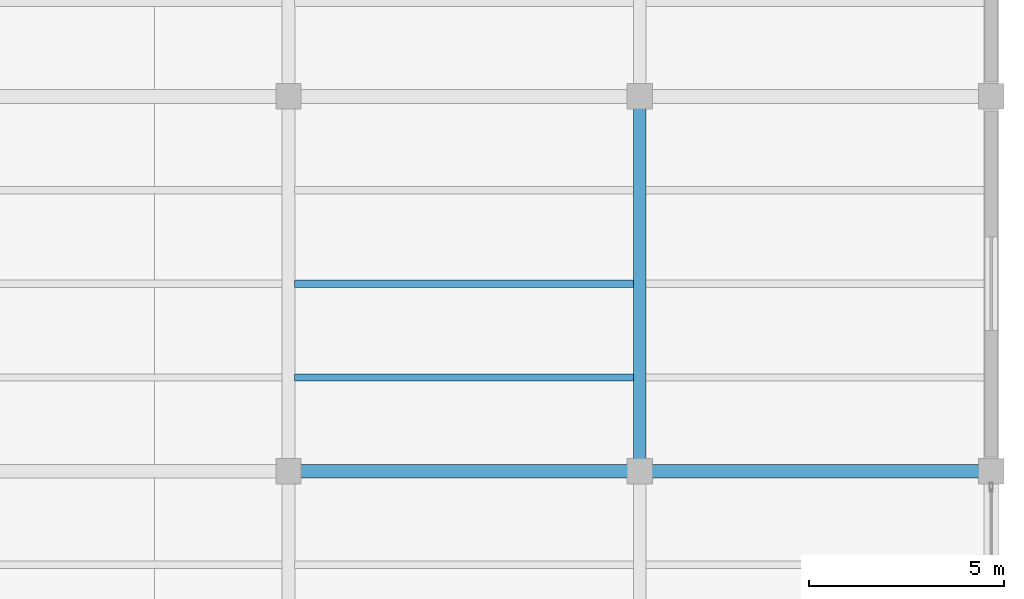
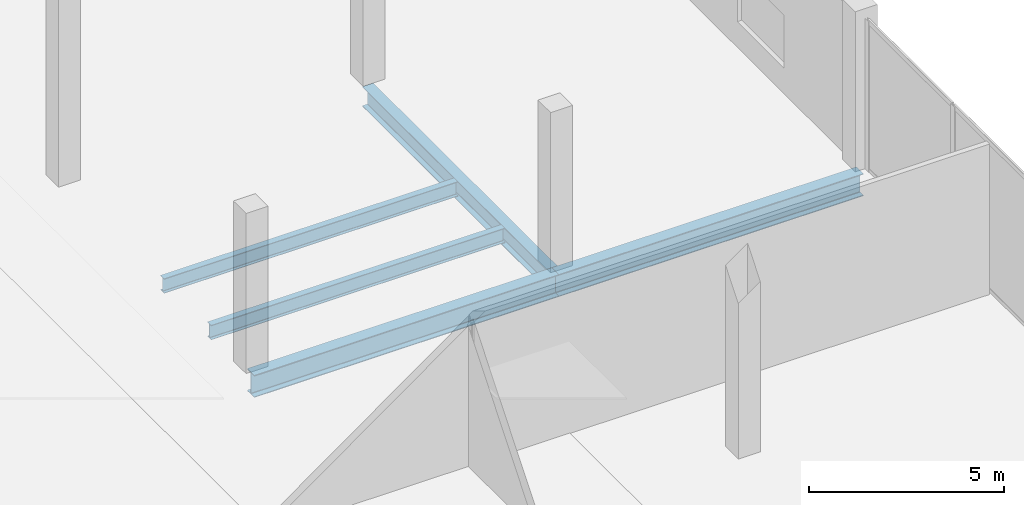
# One storey, part 23 of 43: 5 beams.
"""IFC4 building model written with IfcOpenShell, lengths in metres."""

from ifc_helpers import new_model, si_unit, direction, frame, origin, origin_2d, place, context, subcontext, project, spatial, i_section, extrude, material, material_profile, profile_set, type_object, element, save


model = new_model("IFC4")

# Units and contexts
model_context = context("Model", 3, precision=1e-05, world=origin(), true_north=direction((0.0, 1.0)))
body_context = subcontext(model_context, "Body", "Model", "MODEL_VIEW")
ifc_project = project(units=[si_unit("LENGTHUNIT", "METRE"), si_unit("AREAUNIT", "SQUARE_METRE"), si_unit("VOLUMEUNIT", "CUBIC_METRE"), si_unit("PLANEANGLEUNIT", "RADIAN"), si_unit("MASSUNIT", "GRAM", prefix="KILO")], contexts=[model_context])

# Site, building, storey
site_placement = place(None, origin())
site = spatial("IfcSite", under=ifc_project, at=site_placement, CompositionType="ELEMENT")
building_placement = place(site_placement, origin())
building = spatial("IfcBuilding", under=site, at=building_placement, Name="Qorvath Tower", CompositionType="ELEMENT")
storey_placement = place(building_placement, frame((0.0, 0.0, 22.0)))
storey = spatial("IfcBuildingStorey", under=building, at=storey_placement, Name="L04", CompositionType="ELEMENT", Elevation=22.0)

# Beams
ifc_material_1 = material(Name="Steel ASTM A992 Grade 50", Category="steel")
ifc_material_profile_1 = material_profile(ifc_material_1, i_section(OverallWidth=0.35595703125, OverallDepth=0.696044921875, WebThickness=0.015380859375, FlangeThickness=0.02490234375, FilletRadius=0.01806640625, at=origin_2d()), Name="W27x146")
ifc_profile_set_1 = profile_set([ifc_material_profile_1], Name="Steel ASTM A992 Grade 50")
beam_type_1 = type_object("IfcBeamType", Name="BM-FG4", PredefinedType="BEAM", material=ifc_profile_set_1)
for number, where, z_axis, x_axis, name in (
    (1, (59.39990234375, 19.199951171875, -0.60791015625), (1.0, 0.0, 0.0), (0.0, 1.0, 0.0), "Library E-W Girder L04-7-4"),
    (2, (68.39990234375, 19.199951171875, -0.60791015625), (1.0, 0.0, 0.0), (0.0, 1.0, 0.0), "Library E-W Girder L04-7-5"),
):
    element("IfcBeam", number, at=place(storey_placement, frame(where, z_axis=z_axis, x_axis=x_axis)), inside=storey, type_object=beam_type_1, Name=name, PredefinedType="BEAM", context=body_context, shape_type="SweptSolid", body=[
        extrude(i_section(OverallWidth=0.35595703125, OverallDepth=0.696044921875, WebThickness=0.015380859375, FlangeThickness=0.02490234375, FilletRadius=0.01806640625, at=origin_2d()), origin(), (0.0, 0.0, 1.0), 9.0),
    ])
ifc_material_2 = material(Name="Steel ASTM A992 Grade 50", Category="steel")
ifc_material_profile_2 = material_profile(ifc_material_2, i_section(OverallWidth=0.324951171875, OverallDepth=0.615966796875, WebThickness=0.013916015625, FlangeThickness=0.021484375, FilletRadius=0.01611328125, at=origin_2d()), Name="W24x117")
ifc_profile_set_2 = profile_set([ifc_material_profile_2], Name="Steel ASTM A992 Grade 50")
beam_type_2 = type_object("IfcBeamType", Name="BM-FG5", PredefinedType="BEAM", material=ifc_profile_set_2)
beam_placement = place(storey_placement, frame((68.39990234375, 19.199951171875, -0.568115234375), z_axis=(0.0, 1.0, 0.0), x_axis=(-1.0, 0.0, 0.0)))
element("IfcBeam", 3, at=beam_placement, inside=storey, type_object=beam_type_2, Name="Library N-S Girder L04-5-7", PredefinedType="BEAM", context=body_context, shape_type="SweptSolid", body=[
    extrude(i_section(OverallWidth=0.324951171875, OverallDepth=0.615966796875, WebThickness=0.013916015625, FlangeThickness=0.021484375, FilletRadius=0.01611328125, at=origin_2d()), origin(), (0.0, 0.0, 1.0), 9.60009765625),
])
ifc_material_3 = material(Name="Steel ASTM A992 Grade 50", Category="steel")
ifc_material_profile_3 = material_profile(ifc_material_3, i_section(OverallWidth=0.18994140625, OverallDepth=0.45703125, WebThickness=0.009033203125, FlangeThickness=0.014404296875, FilletRadius=0.011962890625, at=origin_2d()), Name="W18x50")
ifc_profile_set_3 = profile_set([ifc_material_profile_3], Name="Steel ASTM A992 Grade 50")
beam_type_3 = type_object("IfcBeamType", Name="BM-FJ2", PredefinedType="JOIST", material=ifc_profile_set_3)
for number, where, z_axis, x_axis, name in (
    (4, (59.560546875, 21.60009765625, -0.488525390625), (1.0, 0.0, 0.0), (0.0, 1.0, 0.0), "Library Stack Joist L04-7.1-4"),
    (5, (59.560546875, 24.0, -0.488525390625), (1.0, 0.0, 0.0), (0.0, 1.0, 0.0), "Library Stack Joist L04-7.2-4"),
):
    element("IfcBeam", number, at=place(storey_placement, frame(where, z_axis=z_axis, x_axis=x_axis)), inside=storey, type_object=beam_type_3, Name=name, PredefinedType="JOIST", context=body_context, shape_type="SweptSolid", body=[
        extrude(i_section(OverallWidth=0.18994140625, OverallDepth=0.45703125, WebThickness=0.009033203125, FlangeThickness=0.014404296875, FilletRadius=0.011962890625, at=origin_2d()), origin(), (0.0, 0.0, 1.0), 8.678955078125),
    ])

save(model, "model.ifc")
